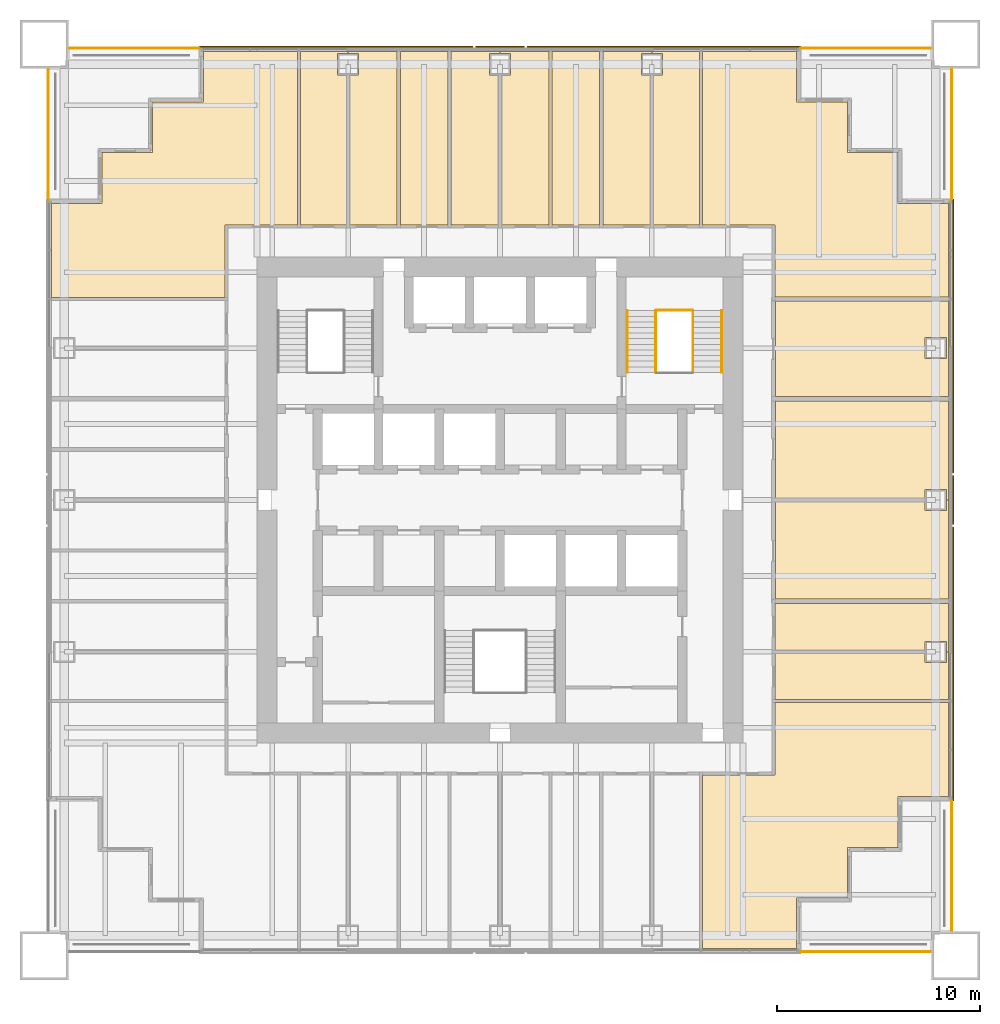
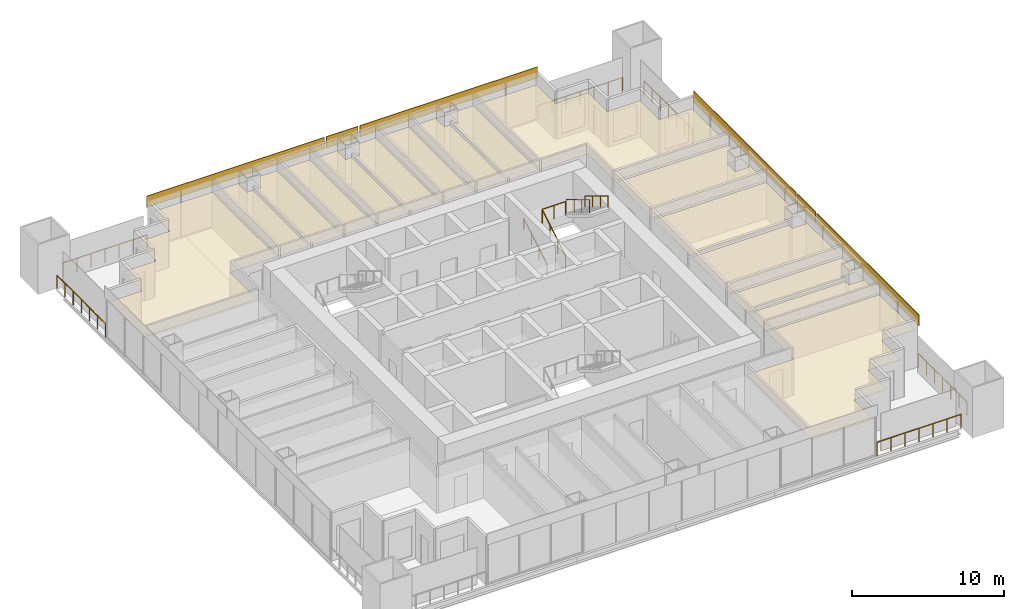
# One storey, part 14 of 14: 22 coverings, 11 railings.
"""IFC4 building model written with IfcOpenShell, lengths in metres."""

from ifc_helpers import new_model, si_unit, direction, frame, origin, origin_2d, place, context, subcontext, project, spatial, polyline, rectangle, circle, outline, extrude, material, layer, layer_set, type_object, element, save


model = new_model("IFC4")

# Units and contexts
model_context = context("Model", 3, precision=1e-05, world=origin(), true_north=direction((0.0, 1.0)))
body_context = subcontext(model_context, "Body", "Model", "MODEL_VIEW")
ifc_project = project(units=[si_unit("LENGTHUNIT", "METRE"), si_unit("AREAUNIT", "SQUARE_METRE"), si_unit("VOLUMEUNIT", "CUBIC_METRE"), si_unit("PLANEANGLEUNIT", "RADIAN"), si_unit("MASSUNIT", "GRAM", prefix="KILO")], contexts=[model_context])

# Site, building, storey
site_placement = place(None, origin())
site = spatial("IfcSite", under=ifc_project, at=site_placement, CompositionType="ELEMENT")
building_placement = place(site_placement, origin())
building = spatial("IfcBuilding", under=site, at=building_placement, Name="Tarangal Relay Tower", CompositionType="ELEMENT")
storey_placement = place(building_placement, frame((0.0, 0.0, 229.89990234375)))
storey = spatial("IfcBuildingStorey", under=building, at=storey_placement, Name="L49", CompositionType="ELEMENT", Elevation=229.89990234375)

# Coverings
ifc_material_1 = material(Name="Black anodised aluminium cladding", Category="aluminium")
ifc_layer_1 = layer(ifc_material_1, 0.050048828125)
ifc_layer_set_1 = layer_set([ifc_layer_1], Name="Black metal spandrel band")
covering_type_1 = type_object("IfcCoveringType", Name="Black metal spandrel band", PredefinedType="CLADDING", material=ifc_layer_set_1)
covering_1_placement = place(storey_placement, frame((-8.096435546875, 22.375, 3.250244140625), z_axis=(0.0, 0.0, 1.0), x_axis=(1.0, 0.0, 0.0)))
element("IfcCovering", 1, at=covering_1_placement, inside=storey, type_object=covering_type_1, Name="Spandrel band SB1 N L49", PredefinedType="CLADDING", context=body_context, shape_type="SweptSolid", body=[
    extrude(rectangle(XDim=13.507080078125, YDim=0.050048828125, at=origin_2d()), origin(), (0.0, 0.0, 1.0), 0.89990234375),
])
covering_2_placement = place(storey_placement, frame((0.0, 22.375, 3.250244140625), z_axis=(0.0, 0.0, 1.0), x_axis=(1.0, 0.0, 0.0)))
element("IfcCovering", 2, at=covering_2_placement, inside=storey, type_object=covering_type_1, Name="Spandrel band SB1 N L49", PredefinedType="CLADDING", context=body_context, shape_type="SweptSolid", body=[
    extrude(rectangle(XDim=2.406005859375, YDim=0.050048828125, at=origin_2d()), origin(), (0.0, 0.0, 1.0), 0.89990234375),
])
for number, where, z_axis, x_axis, name in (
    (3, (8.096435546875, 22.375, 3.250244140625), (0.0, 0.0, 1.0), (1.0, 0.0, 0.0), "Spandrel band SB1 N L49"),
    (4, (22.375, 8.096435546875, 3.250244140625), (0.0, 0.0, 1.0), (0.0, -1.0, 0.0), "Spandrel band SB1 E L49"),
):
    element("IfcCovering", number, at=place(storey_placement, frame(where, z_axis=z_axis, x_axis=x_axis)), inside=storey, type_object=covering_type_1, Name=name, PredefinedType="CLADDING", context=body_context, shape_type="SweptSolid", body=[
        extrude(rectangle(XDim=13.507080078125, YDim=0.050048828125, at=origin_2d()), origin(), (0.0, 0.0, 1.0), 0.89990234375),
    ])
covering_3_placement = place(storey_placement, frame((22.375, 0.0, 3.250244140625), z_axis=(0.0, 0.0, 1.0), x_axis=(0.0, -1.0, 0.0)))
element("IfcCovering", 5, at=covering_3_placement, inside=storey, type_object=covering_type_1, Name="Spandrel band SB1 E L49", PredefinedType="CLADDING", context=body_context, shape_type="SweptSolid", body=[
    extrude(rectangle(XDim=2.406005859375, YDim=0.050048828125, at=origin_2d()), origin(), (0.0, 0.0, 1.0), 0.89990234375),
])
covering_4_placement = place(storey_placement, frame((22.375, -8.096435546875, 3.250244140625), z_axis=(0.0, 0.0, 1.0), x_axis=(0.0, -1.0, 0.0)))
element("IfcCovering", 6, at=covering_4_placement, inside=storey, type_object=covering_type_1, Name="Spandrel band SB1 E L49", PredefinedType="CLADDING", context=body_context, shape_type="SweptSolid", body=[
    extrude(rectangle(XDim=13.507080078125, YDim=0.050048828125, at=origin_2d()), origin(), (0.0, 0.0, 1.0), 0.89990234375),
])

# Railings
ifc_material_2 = material(Name="Steel guard, black finish", Category="steel")
railing_type_1 = type_object("IfcRailingType", Name="Stair guard 1100", PredefinedType="GUARDRAIL", material=ifc_material_2)
railing_1_placement = place(storey_placement, frame((7.695068359375, 6.300048828125, 0.166748046875)))
element("IfcRailing", 7, at=railing_1_placement, inside=storey, type_object=railing_type_1, Name="Stair ST-B guard GR1 L49 flight 1", PredefinedType="GUARDRAIL", context=body_context, shape_type="SweptSolid", body=[
    extrude(circle(Radius=0.02392578125, at=origin_2d()), frame((0.0, 0.0, 1.076171875), z_axis=(0.0, 0.85685617095, 0.515555527858), x_axis=(-1.0, 0.0, 0.0)), (0.0, 0.0, 1.0), 3.555908203125),
    extrude(circle(Radius=0.02099609375, at=origin_2d()), origin(), (0.0, 0.0, 1.0), 1.052001953125),
    extrude(circle(Radius=0.02099609375, at=origin_2d()), frame((0.0, 1.015625, 0.611083984375)), (0.0, 0.0, 1.0), 1.052001953125),
    extrude(circle(Radius=0.02099609375, at=origin_2d()), frame((0.0, 2.03125, 1.22216796875)), (0.0, 0.0, 1.0), 1.052001953125),
    extrude(circle(Radius=0.02099609375, at=origin_2d()), frame((0.0, 3.046875, 1.833251953125)), (0.0, 0.0, 1.0), 1.052001953125),
])
railing_2_placement = place(storey_placement, frame((9.530029296875, 9.346923828125, 2.166748046875)))
element("IfcRailing", 8, at=railing_2_placement, inside=storey, type_object=railing_type_1, Name="Stair ST-B guard GR1 L49 flight 2", PredefinedType="GUARDRAIL", context=body_context, shape_type="SweptSolid", body=[
    extrude(circle(Radius=0.02392578125, at=origin_2d()), frame((0.0, 0.0, 1.076171875), z_axis=(0.0, -0.85685617095, 0.515555527858), x_axis=(1.0, 0.0, 0.0)), (0.0, 0.0, 1.0), 3.555908203125),
    extrude(circle(Radius=0.02099609375, at=origin_2d()), origin(), (0.0, 0.0, 1.0), 1.052001953125),
    extrude(circle(Radius=0.02099609375, at=origin_2d()), frame((0.0, -1.015625, 0.611083984375)), (0.0, 0.0, 1.0), 1.052001953125),
    extrude(circle(Radius=0.02099609375, at=origin_2d()), frame((0.0, -2.03125, 1.22216796875)), (0.0, 0.0, 1.0), 1.052001953125),
    extrude(circle(Radius=0.02099609375, at=origin_2d()), frame((0.0, -3.046875, 1.833251953125)), (0.0, 0.0, 1.0), 1.052001953125),
])
railing_3_placement = place(storey_placement, frame((7.72509765625, 9.376953125, 2.0)))
element("IfcRailing", 9, at=railing_3_placement, inside=storey, type_object=railing_type_1, Name="Stair ST-B landing guard GR1 L49", PredefinedType="GUARDRAIL", context=body_context, shape_type="SweptSolid", body=[
    extrude(circle(Radius=0.02392578125, at=origin_2d()), frame((0.0, 0.0, 1.076171875), z_axis=(1.0, 0.0, 0.0), x_axis=(0.0, 1.0, 0.0)), (0.0, 0.0, 1.0), 1.77490234375),
    extrude(circle(Radius=0.02099609375, at=origin_2d()), origin(), (0.0, 0.0, 1.0), 1.052001953125),
    extrude(circle(Radius=0.02099609375, at=origin_2d()), frame((0.887451171875, 0.0, 0.0)), (0.0, 0.0, 1.0), 1.052001953125),
    extrude(circle(Radius=0.02099609375, at=origin_2d()), frame((1.77490234375, 0.0, 0.0)), (0.0, 0.0, 1.0), 1.052001953125),
])
ifc_material_3 = material(Name="Steel handrail, black finish", Category="steel")
railing_type_2 = type_object("IfcRailingType", Name="Stair handrail 900", PredefinedType="HANDRAIL", material=ifc_material_3)
railing_4_placement = place(storey_placement, frame((6.284912109375, 6.300048828125, 0.166748046875)))
element("IfcRailing", 10, at=railing_4_placement, inside=storey, type_object=railing_type_2, Name="Stair ST-B handrail HR1 L49 flight 1", PredefinedType="HANDRAIL", context=body_context, shape_type="SweptSolid", body=[
    extrude(circle(Radius=0.02392578125, at=origin_2d()), frame((0.0, 0.0, 0.8759765625), z_axis=(0.0, 0.85685617095, 0.515555527858), x_axis=(-1.0, 0.0, 0.0)), (0.0, 0.0, 1.0), 3.555908203125),
    extrude(circle(Radius=0.02099609375, at=origin_2d()), origin(), (0.0, 0.0, 1.0), 0.851806640625),
    extrude(circle(Radius=0.02099609375, at=origin_2d()), frame((0.0, 1.015625, 0.611083984375)), (0.0, 0.0, 1.0), 0.851806640625),
    extrude(circle(Radius=0.02099609375, at=origin_2d()), frame((0.0, 2.03125, 1.22216796875)), (0.0, 0.0, 1.0), 0.851806640625),
    extrude(circle(Radius=0.02099609375, at=origin_2d()), frame((0.0, 3.046875, 1.833251953125)), (0.0, 0.0, 1.0), 0.851806640625),
])
railing_5_placement = place(storey_placement, frame((10.93994140625, 9.346923828125, 2.166748046875)))
element("IfcRailing", 11, at=railing_5_placement, inside=storey, type_object=railing_type_2, Name="Stair ST-B handrail HR1 L49 flight 2", PredefinedType="HANDRAIL", context=body_context, shape_type="SweptSolid", body=[
    extrude(circle(Radius=0.02392578125, at=origin_2d()), frame((0.0, 0.0, 0.8759765625), z_axis=(0.0, -0.85685617095, 0.515555527858), x_axis=(1.0, 0.0, 0.0)), (0.0, 0.0, 1.0), 3.555908203125),
    extrude(circle(Radius=0.02099609375, at=origin_2d()), origin(), (0.0, 0.0, 1.0), 0.851806640625),
    extrude(circle(Radius=0.02099609375, at=origin_2d()), frame((0.0, -1.015625, 0.611083984375)), (0.0, 0.0, 1.0), 0.851806640625),
    extrude(circle(Radius=0.02099609375, at=origin_2d()), frame((0.0, -2.03125, 1.22216796875)), (0.0, 0.0, 1.0), 0.851806640625),
    extrude(circle(Radius=0.02099609375, at=origin_2d()), frame((0.0, -3.046875, 1.833251953125)), (0.0, 0.0, 1.0), 0.851806640625),
])

# Coverings
ifc_material_4 = material(Name="Mineral fibre ceiling tiles", Category="gypsum")
ifc_layer_2 = layer(ifc_material_4, 0.02001953125)
ifc_layer_set_2 = layer_set([ifc_layer_2], Name="Suspended ceiling")
covering_type_2 = type_object("IfcCoveringType", Name="Suspended ceiling", PredefinedType="CEILING", material=ifc_layer_set_2)
covering_5_placement = place(storey_placement, frame((0.0, 0.0, 2.900146484375)))
element("IfcCovering", 12, at=covering_5_placement, inside=storey, type_object=covering_type_2, Name="Suspended ceiling CL1 L49-02", PredefinedType="CEILING", context=body_context, shape_type="SweptSolid", body=[
    extrude(outline(polyline([(-7.5, 22.14990234375), (-9.842041015625, 22.14990234375), (-9.842041015625, 13.574951171875), (-7.574951171875, 13.574951171875), (-7.574951171875, 20.989990234375), (-8.02490234375, 20.989990234375), (-8.02490234375, 22.0400390625), (-7.5, 22.0400390625), (-7.5, 22.14990234375)])), origin(), (0.0, 0.0, 1.0), 0.02001953125),
])
covering_6_placement = place(storey_placement, frame((0.0, 0.0, 2.900146484375)))
element("IfcCovering", 13, at=covering_6_placement, inside=storey, type_object=covering_type_2, Name="Suspended ceiling CL1 L49-03", PredefinedType="CEILING", context=body_context, shape_type="SweptSolid", body=[
    extrude(outline(polyline([(-5.074951171875, 22.14990234375), (-7.5, 22.14990234375), (-7.5, 22.0400390625), (-6.97509765625, 22.0400390625), (-6.97509765625, 20.989990234375), (-7.425048828125, 20.989990234375), (-7.425048828125, 13.574951171875), (-5.074951171875, 13.574951171875), (-5.074951171875, 22.14990234375)])), origin(), (0.0, 0.0, 1.0), 0.02001953125),
])
covering_7_placement = place(storey_placement, frame((0.0, 0.0, 2.900146484375)))
element("IfcCovering", 14, at=covering_7_placement, inside=storey, type_object=covering_type_2, Name="Suspended ceiling CL1 L49-04", PredefinedType="CEILING", context=body_context, shape_type="SweptSolid", body=[
    extrude(outline(polyline([(-4.925048828125, 22.14990234375), (-4.925048828125, 13.574951171875), (-2.574951171875, 13.574951171875), (-2.574951171875, 22.14990234375), (-4.925048828125, 22.14990234375)])), origin(), (0.0, 0.0, 1.0), 0.02001953125),
])
covering_8_placement = place(storey_placement, frame((0.0, 0.0, 2.900146484375)))
element("IfcCovering", 15, at=covering_8_placement, inside=storey, type_object=covering_type_2, Name="Suspended ceiling CL1 L49-05", PredefinedType="CEILING", context=body_context, shape_type="SweptSolid", body=[
    extrude(outline(polyline([(0.0, 22.14990234375), (-2.425048828125, 22.14990234375), (-2.425048828125, 13.574951171875), (-0.074951171875, 13.574951171875), (-0.074951171875, 20.989990234375), (-0.52490234375, 20.989990234375), (-0.52490234375, 22.0400390625), (0.0, 22.0400390625), (0.0, 22.14990234375)])), origin(), (0.0, 0.0, 1.0), 0.02001953125),
])
covering_9_placement = place(storey_placement, frame((0.0, 0.0, 2.900146484375)))
element("IfcCovering", 16, at=covering_9_placement, inside=storey, type_object=covering_type_2, Name="Suspended ceiling CL1 L49-06", PredefinedType="CEILING", context=body_context, shape_type="SweptSolid", body=[
    extrude(outline(polyline([(2.425048828125, 22.14990234375), (0.0, 22.14990234375), (0.0, 22.0400390625), (0.52490234375, 22.0400390625), (0.52490234375, 20.989990234375), (0.074951171875, 20.989990234375), (0.074951171875, 13.574951171875), (2.425048828125, 13.574951171875), (2.425048828125, 22.14990234375)])), origin(), (0.0, 0.0, 1.0), 0.02001953125),
])
covering_10_placement = place(storey_placement, frame((0.0, 0.0, 2.900146484375)))
element("IfcCovering", 17, at=covering_10_placement, inside=storey, type_object=covering_type_2, Name="Suspended ceiling CL1 L49-07", PredefinedType="CEILING", context=body_context, shape_type="SweptSolid", body=[
    extrude(outline(polyline([(2.574951171875, 22.14990234375), (2.574951171875, 13.574951171875), (4.925048828125, 13.574951171875), (4.925048828125, 22.14990234375), (2.574951171875, 22.14990234375)])), origin(), (0.0, 0.0, 1.0), 0.02001953125),
])
covering_11_placement = place(storey_placement, frame((0.0, 0.0, 2.900146484375)))
element("IfcCovering", 18, at=covering_11_placement, inside=storey, type_object=covering_type_2, Name="Suspended ceiling CL1 L49-08", PredefinedType="CEILING", context=body_context, shape_type="SweptSolid", body=[
    extrude(outline(polyline([(7.5, 22.14990234375), (5.074951171875, 22.14990234375), (5.074951171875, 13.574951171875), (7.425048828125, 13.574951171875), (7.425048828125, 20.989990234375), (6.97509765625, 20.989990234375), (6.97509765625, 22.0400390625), (7.5, 22.0400390625), (7.5, 22.14990234375)])), origin(), (0.0, 0.0, 1.0), 0.02001953125),
])
covering_12_placement = place(storey_placement, frame((0.0, 0.0, 2.900146484375)))
element("IfcCovering", 19, at=covering_12_placement, inside=storey, type_object=covering_type_2, Name="Suspended ceiling CL1 L49-09", PredefinedType="CEILING", context=body_context, shape_type="SweptSolid", body=[
    extrude(outline(polyline([(9.842041015625, 22.14990234375), (7.5, 22.14990234375), (7.5, 22.0400390625), (8.02490234375, 22.0400390625), (8.02490234375, 20.989990234375), (7.574951171875, 20.989990234375), (7.574951171875, 13.574951171875), (9.842041015625, 13.574951171875), (9.842041015625, 22.14990234375)])), origin(), (0.0, 0.0, 1.0), 0.02001953125),
])
covering_13_placement = place(storey_placement, frame((0.0, 0.0, 2.900146484375)))
element("IfcCovering", 20, at=covering_13_placement, inside=storey, type_object=covering_type_2, Name="Suspended ceiling CL1 L49-10", PredefinedType="CEILING", context=body_context, shape_type="SweptSolid", body=[
    extrude(outline(polyline([(22.14990234375, 5.10009765625), (22.14990234375, 9.81689453125), (13.60009765625, 9.81689453125), (13.60009765625, 5.10009765625), (22.14990234375, 5.10009765625)]), holes=[polyline([(22.0400390625, 8.02490234375), (20.989990234375, 8.02490234375), (20.989990234375, 6.97509765625), (22.0400390625, 6.97509765625), (22.0400390625, 8.02490234375)])]), origin(), (0.0, 0.0, 1.0), 0.02001953125),
])
covering_14_placement = place(storey_placement, frame((0.0, 0.0, 2.900146484375)))
element("IfcCovering", 21, at=covering_14_placement, inside=storey, type_object=covering_type_2, Name="Suspended ceiling CL1 L49-11", PredefinedType="CEILING", context=body_context, shape_type="SweptSolid", body=[
    extrude(outline(polyline([(22.14990234375, 0.0), (22.14990234375, 4.89990234375), (13.60009765625, 4.89990234375), (13.60009765625, 0.10009765625), (20.989990234375, 0.10009765625), (20.989990234375, 0.52490234375), (22.0400390625, 0.52490234375), (22.0400390625, 0.0), (22.14990234375, 0.0)])), origin(), (0.0, 0.0, 1.0), 0.02001953125),
])
covering_15_placement = place(storey_placement, frame((0.0, 0.0, 2.900146484375)))
element("IfcCovering", 22, at=covering_15_placement, inside=storey, type_object=covering_type_2, Name="Suspended ceiling CL1 L49-12", PredefinedType="CEILING", context=body_context, shape_type="SweptSolid", body=[
    extrude(outline(polyline([(22.14990234375, -4.89990234375), (22.14990234375, 0.0), (22.0400390625, 0.0), (22.0400390625, -0.52490234375), (20.989990234375, -0.52490234375), (20.989990234375, -0.10009765625), (13.60009765625, -0.10009765625), (13.60009765625, -4.89990234375), (22.14990234375, -4.89990234375)])), origin(), (0.0, 0.0, 1.0), 0.02001953125),
])
covering_16_placement = place(storey_placement, frame((0.0, 0.0, 2.900146484375)))
element("IfcCovering", 23, at=covering_16_placement, inside=storey, type_object=covering_type_2, Name="Suspended ceiling CL1 L49-13", PredefinedType="CEILING", context=body_context, shape_type="SweptSolid", body=[
    extrude(outline(polyline([(22.14990234375, -7.5), (22.14990234375, -5.10009765625), (13.574951171875, -5.10009765625), (13.574951171875, -7.425048828125), (20.989990234375, -7.425048828125), (20.989990234375, -6.97509765625), (22.0400390625, -6.97509765625), (22.0400390625, -7.5), (22.14990234375, -7.5)])), origin(), (0.0, 0.0, 1.0), 0.02001953125),
])
covering_17_placement = place(storey_placement, frame((0.0, 0.0, 2.900146484375)))
element("IfcCovering", 24, at=covering_17_placement, inside=storey, type_object=covering_type_2, Name="Suspended ceiling CL1 L49-14", PredefinedType="CEILING", context=body_context, shape_type="SweptSolid", body=[
    extrude(outline(polyline([(22.14990234375, -9.842041015625), (22.14990234375, -7.5), (22.0400390625, -7.5), (22.0400390625, -8.02490234375), (20.989990234375, -8.02490234375), (20.989990234375, -7.574951171875), (13.574951171875, -7.574951171875), (13.574951171875, -9.842041015625), (22.14990234375, -9.842041015625)])), origin(), (0.0, 0.0, 1.0), 0.02001953125),
])
covering_18_placement = place(storey_placement, frame((0.0, 0.0, 2.900146484375)))
element("IfcCovering", 25, at=covering_18_placement, inside=storey, type_object=covering_type_2, Name="Suspended ceiling CL1 L49-31", PredefinedType="CEILING", context=body_context, shape_type="SweptSolid", body=[
    extrude(outline(polyline([(14.64990234375, 22.14990234375), (9.991943359375, 22.14990234375), (9.991943359375, 13.574951171875), (13.574951171875, 13.574951171875), (13.574951171875, 10.01708984375), (22.14990234375, 10.01708984375), (22.14990234375, 14.64990234375), (19.64990234375, 14.64990234375), (19.64990234375, 17.14990234375), (17.14990234375, 17.14990234375), (17.14990234375, 19.64990234375), (14.64990234375, 19.64990234375), (14.64990234375, 22.14990234375)])), origin(), (0.0, 0.0, 1.0), 0.02001953125),
])
covering_19_placement = place(storey_placement, frame((0.0, 0.0, 2.900146484375)))
element("IfcCovering", 26, at=covering_19_placement, inside=storey, type_object=covering_type_2, Name="Suspended ceiling CL1 L49-32", PredefinedType="CEILING", context=body_context, shape_type="SweptSolid", body=[
    extrude(outline(polyline([(22.14990234375, -14.64990234375), (22.14990234375, -9.991943359375), (13.574951171875, -9.991943359375), (13.574951171875, -13.574951171875), (9.991943359375, -13.574951171875), (9.991943359375, -22.14990234375), (14.64990234375, -22.14990234375), (14.64990234375, -19.64990234375), (17.14990234375, -19.64990234375), (17.14990234375, -17.14990234375), (19.64990234375, -17.14990234375), (19.64990234375, -14.64990234375), (22.14990234375, -14.64990234375)])), origin(), (0.0, 0.0, 1.0), 0.02001953125),
])
covering_20_placement = place(storey_placement, frame((0.0, 0.0, 2.900146484375)))
element("IfcCovering", 27, at=covering_20_placement, inside=storey, type_object=covering_type_2, Name="Suspended ceiling CL1 L49-34", PredefinedType="CEILING", context=body_context, shape_type="SweptSolid", body=[
    extrude(outline(polyline([(-19.64990234375, 14.64990234375), (-22.14990234375, 14.64990234375), (-22.14990234375, 9.991943359375), (-13.574951171875, 9.991943359375), (-13.574951171875, 13.574951171875), (-9.991943359375, 13.574951171875), (-9.991943359375, 22.14990234375), (-14.64990234375, 22.14990234375), (-14.64990234375, 19.64990234375), (-17.14990234375, 19.64990234375), (-17.14990234375, 17.14990234375), (-19.64990234375, 17.14990234375), (-19.64990234375, 14.64990234375)])), origin(), (0.0, 0.0, 1.0), 0.02001953125),
])

# Railings
ifc_material_5 = material(Name="Black steel guard with glass infill", Category="steel")
railing_type_3 = type_object("IfcRailingType", Name="Terrace guard 1100", PredefinedType="GUARDRAIL", material=ifc_material_5)
railing_6_placement = place(storey_placement, frame((14.85009765625, 22.300048828125, 0.0)))
element("IfcRailing", 28, at=railing_6_placement, inside=storey, type_object=railing_type_3, Name="Terrace guard GR2 NE L49", PredefinedType="GUARDRAIL", context=body_context, shape_type="SweptSolid", body=[
    extrude(circle(Radius=0.02392578125, at=origin_2d()), frame((0.0, 0.0, 1.076171875), z_axis=(1.0, 0.0, 0.0), x_axis=(0.0, 1.0, 0.0)), (0.0, 0.0, 1.0), 6.39990234375),
    extrude(circle(Radius=0.02099609375, at=origin_2d()), origin(), (0.0, 0.0, 1.0), 1.052001953125),
    extrude(circle(Radius=0.02099609375, at=origin_2d()), frame((1.066650390625, 0.0, 0.0)), (0.0, 0.0, 1.0), 1.052001953125),
    extrude(circle(Radius=0.02099609375, at=origin_2d()), frame((2.13330078125, 0.0, 0.0)), (0.0, 0.0, 1.0), 1.052001953125),
    extrude(circle(Radius=0.02099609375, at=origin_2d()), frame((3.199951171875, 0.0, 0.0)), (0.0, 0.0, 1.0), 1.052001953125),
    extrude(circle(Radius=0.02099609375, at=origin_2d()), frame((4.2666015625, 0.0, 0.0)), (0.0, 0.0, 1.0), 1.052001953125),
    extrude(circle(Radius=0.02099609375, at=origin_2d()), frame((5.333251953125, 0.0, 0.0)), (0.0, 0.0, 1.0), 1.052001953125),
    extrude(circle(Radius=0.02099609375, at=origin_2d()), frame((6.39990234375, 0.0, 0.0)), (0.0, 0.0, 1.0), 1.052001953125),
])
for number, where, name in (
    (29, (22.300048828125, 21.25, 0.0), "Terrace guard GR2 NE L49"),
    (30, (22.300048828125, -14.85009765625, 0.0), "Terrace guard GR2 SE L49"),
):
    element("IfcRailing", number, at=place(storey_placement, frame(where)), inside=storey, type_object=railing_type_3, Name=name, PredefinedType="GUARDRAIL", context=body_context, shape_type="SweptSolid", body=[
        extrude(circle(Radius=0.02392578125, at=origin_2d()), frame((0.0, 0.0, 1.076171875), z_axis=(0.0, -1.0, 0.0), x_axis=(1.0, 0.0, 0.0)), (0.0, 0.0, 1.0), 6.39990234375),
        extrude(circle(Radius=0.02099609375, at=origin_2d()), origin(), (0.0, 0.0, 1.0), 1.052001953125),
        extrude(circle(Radius=0.02099609375, at=origin_2d()), frame((0.0, -1.066650390625, 0.0)), (0.0, 0.0, 1.0), 1.052001953125),
        extrude(circle(Radius=0.02099609375, at=origin_2d()), frame((0.0, -2.13330078125, 0.0)), (0.0, 0.0, 1.0), 1.052001953125),
        extrude(circle(Radius=0.02099609375, at=origin_2d()), frame((0.0, -3.199951171875, 0.0)), (0.0, 0.0, 1.0), 1.052001953125),
        extrude(circle(Radius=0.02099609375, at=origin_2d()), frame((0.0, -4.2666015625, 0.0)), (0.0, 0.0, 1.0), 1.052001953125),
        extrude(circle(Radius=0.02099609375, at=origin_2d()), frame((0.0, -5.333251953125, 0.0)), (0.0, 0.0, 1.0), 1.052001953125),
        extrude(circle(Radius=0.02099609375, at=origin_2d()), frame((0.0, -6.39990234375, 0.0)), (0.0, 0.0, 1.0), 1.052001953125),
    ])
railing_7_placement = place(storey_placement, frame((21.25, -22.300048828125, 0.0)))
element("IfcRailing", 31, at=railing_7_placement, inside=storey, type_object=railing_type_3, Name="Terrace guard GR2 SE L49", PredefinedType="GUARDRAIL", context=body_context, shape_type="SweptSolid", body=[
    extrude(circle(Radius=0.02392578125, at=origin_2d()), frame((0.0, 0.0, 1.076171875), z_axis=(-1.0, 0.0, 0.0), x_axis=(0.0, -1.0, 0.0)), (0.0, 0.0, 1.0), 6.39990234375),
    extrude(circle(Radius=0.02099609375, at=origin_2d()), origin(), (0.0, 0.0, 1.0), 1.052001953125),
    extrude(circle(Radius=0.02099609375, at=origin_2d()), frame((-1.066650390625, 0.0, 0.0)), (0.0, 0.0, 1.0), 1.052001953125),
    extrude(circle(Radius=0.02099609375, at=origin_2d()), frame((-2.13330078125, 0.0, 0.0)), (0.0, 0.0, 1.0), 1.052001953125),
    extrude(circle(Radius=0.02099609375, at=origin_2d()), frame((-3.199951171875, 0.0, 0.0)), (0.0, 0.0, 1.0), 1.052001953125),
    extrude(circle(Radius=0.02099609375, at=origin_2d()), frame((-4.2666015625, 0.0, 0.0)), (0.0, 0.0, 1.0), 1.052001953125),
    extrude(circle(Radius=0.02099609375, at=origin_2d()), frame((-5.333251953125, 0.0, 0.0)), (0.0, 0.0, 1.0), 1.052001953125),
    extrude(circle(Radius=0.02099609375, at=origin_2d()), frame((-6.39990234375, 0.0, 0.0)), (0.0, 0.0, 1.0), 1.052001953125),
])
railing_8_placement = place(storey_placement, frame((-22.300048828125, 14.85009765625, 0.0)))
element("IfcRailing", 32, at=railing_8_placement, inside=storey, type_object=railing_type_3, Name="Terrace guard GR2 NW L49", PredefinedType="GUARDRAIL", context=body_context, shape_type="SweptSolid", body=[
    extrude(circle(Radius=0.02392578125, at=origin_2d()), frame((0.0, 0.0, 1.076171875), z_axis=(0.0, 1.0, 0.0), x_axis=(-1.0, 0.0, 0.0)), (0.0, 0.0, 1.0), 6.39990234375),
    extrude(circle(Radius=0.02099609375, at=origin_2d()), origin(), (0.0, 0.0, 1.0), 1.052001953125),
    extrude(circle(Radius=0.02099609375, at=origin_2d()), frame((0.0, 1.066650390625, 0.0)), (0.0, 0.0, 1.0), 1.052001953125),
    extrude(circle(Radius=0.02099609375, at=origin_2d()), frame((0.0, 2.13330078125, 0.0)), (0.0, 0.0, 1.0), 1.052001953125),
    extrude(circle(Radius=0.02099609375, at=origin_2d()), frame((0.0, 3.199951171875, 0.0)), (0.0, 0.0, 1.0), 1.052001953125),
    extrude(circle(Radius=0.02099609375, at=origin_2d()), frame((0.0, 4.2666015625, 0.0)), (0.0, 0.0, 1.0), 1.052001953125),
    extrude(circle(Radius=0.02099609375, at=origin_2d()), frame((0.0, 5.333251953125, 0.0)), (0.0, 0.0, 1.0), 1.052001953125),
    extrude(circle(Radius=0.02099609375, at=origin_2d()), frame((0.0, 6.39990234375, 0.0)), (0.0, 0.0, 1.0), 1.052001953125),
])
railing_9_placement = place(storey_placement, frame((-21.25, 22.300048828125, 0.0)))
element("IfcRailing", 33, at=railing_9_placement, inside=storey, type_object=railing_type_3, Name="Terrace guard GR2 NW L49", PredefinedType="GUARDRAIL", context=body_context, shape_type="SweptSolid", body=[
    extrude(circle(Radius=0.02392578125, at=origin_2d()), frame((0.0, 0.0, 1.076171875), z_axis=(1.0, 0.0, 0.0), x_axis=(0.0, 1.0, 0.0)), (0.0, 0.0, 1.0), 6.39990234375),
    extrude(circle(Radius=0.02099609375, at=origin_2d()), origin(), (0.0, 0.0, 1.0), 1.052001953125),
    extrude(circle(Radius=0.02099609375, at=origin_2d()), frame((1.066650390625, 0.0, 0.0)), (0.0, 0.0, 1.0), 1.052001953125),
    extrude(circle(Radius=0.02099609375, at=origin_2d()), frame((2.13330078125, 0.0, 0.0)), (0.0, 0.0, 1.0), 1.052001953125),
    extrude(circle(Radius=0.02099609375, at=origin_2d()), frame((3.199951171875, 0.0, 0.0)), (0.0, 0.0, 1.0), 1.052001953125),
    extrude(circle(Radius=0.02099609375, at=origin_2d()), frame((4.2666015625, 0.0, 0.0)), (0.0, 0.0, 1.0), 1.052001953125),
    extrude(circle(Radius=0.02099609375, at=origin_2d()), frame((5.333251953125, 0.0, 0.0)), (0.0, 0.0, 1.0), 1.052001953125),
    extrude(circle(Radius=0.02099609375, at=origin_2d()), frame((6.39990234375, 0.0, 0.0)), (0.0, 0.0, 1.0), 1.052001953125),
])

save(model, "model.ifc")
